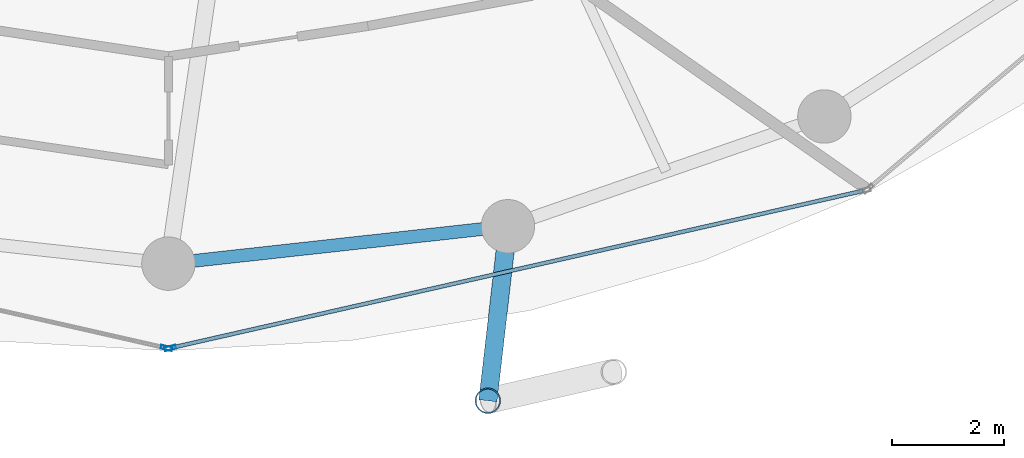
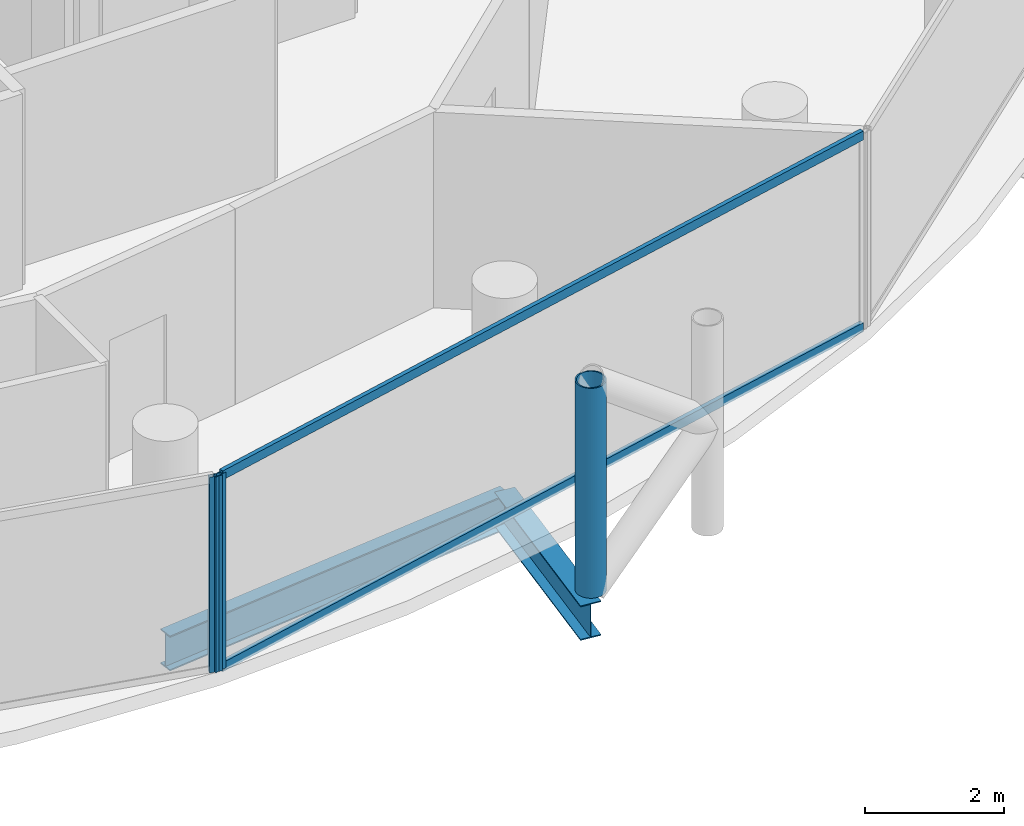
# One storey, part 4 of 26: 5 members, 2 beams, 2 elements without a shape of their own.
"""IFC4 building model written with IfcOpenShell, lengths in metres."""

from ifc_helpers import new_model, si_unit, direction, frame, origin, origin_2d, place, context, subcontext, project, spatial, hollow_rectangle, hollow_circle, i_section, extrude, material, layer, layer_set, material_profile, profile_set, type_object, element, aggregate, save


model = new_model("IFC4")

# Units and contexts
model_context = context("Model", 3, precision=1e-05, world=origin(), true_north=direction((0.0, 1.0)))
body_context = subcontext(model_context, "Body", "Model", "MODEL_VIEW")
ifc_project = project(units=[si_unit("LENGTHUNIT", "METRE"), si_unit("AREAUNIT", "SQUARE_METRE"), si_unit("VOLUMEUNIT", "CUBIC_METRE"), si_unit("PLANEANGLEUNIT", "RADIAN"), si_unit("MASSUNIT", "GRAM", prefix="KILO")], contexts=[model_context])

# Site, building, storey
site_placement = place(None, origin())
site = spatial("IfcSite", under=ifc_project, at=site_placement, CompositionType="ELEMENT")
building_placement = place(site_placement, origin())
building = spatial("IfcBuilding", under=site, at=building_placement, Name="Nuhasar Tower", CompositionType="ELEMENT")
storey_placement = place(building_placement, frame((0.0, 0.0, 155.25)))
storey = spatial("IfcBuildingStorey", under=building, at=storey_placement, Name="L37", CompositionType="ELEMENT", Elevation=155.25)

# Beams
ifc_material_1 = material(Name="Steel S355", Category="steel")
ifc_material_profile_1 = material_profile(ifc_material_1, i_section(OverallWidth=0.22998046875, OverallDepth=0.616943359375, WebThickness=0.01318359375, FlangeThickness=0.022216796875, at=origin_2d()), Name="W24X94")
ifc_profile_set_1 = profile_set([ifc_material_profile_1], Name="Steel S355")
beam_type_1 = type_object("IfcBeamType", Name="BM-RING-W24X94", PredefinedType="SPANDREL", material=ifc_profile_set_1)
beam_1_placement = place(storey_placement, frame((39.0, 7.25, -0.55908203125), z_axis=(0.993981289157, 0.109549974015, 0.0), x_axis=(-0.109549974015, 0.993981289157, 0.0)))
element("IfcBeam", 1, at=beam_1_placement, inside=storey, type_object=beam_type_1, Name="L37 Perimeter Ring Spandrel 19", PredefinedType="SPANDREL", context=body_context, shape_type="SweptSolid", body=[
    extrude(i_section(OverallWidth=0.22998046875, OverallDepth=0.616943359375, WebThickness=0.01318359375, FlangeThickness=0.022216796875, at=origin_2d()), origin(), (0.0, 0.0, 1.0), 6.07958984375),
])
ifc_material_profile_2 = material_profile(ifc_material_1, i_section(OverallWidth=0.323974609375, OverallDepth=0.611083984375, WebThickness=0.0126953125, FlangeThickness=0.01904296875, at=origin_2d()), Name="W24X104")
ifc_profile_set_2 = profile_set([ifc_material_profile_2], Name="Steel S355")
beam_type_2 = type_object("IfcBeamType", Name="BM-TIE-W24X104", PredefinedType="BEAM", material=ifc_profile_set_2)
beam_2_placement = place(storey_placement, frame((45.04296875, 7.916015625, -0.554931640625), z_axis=(-0.114167639647, -0.993461499031, 0.0), x_axis=(0.993461499031, -0.114167639647, 0.0)))
element("IfcBeam", 2, at=beam_2_placement, inside=storey, type_object=beam_type_2, Name="L37 Exoskeleton Node Tie Beam 10", PredefinedType="BEAM", context=body_context, shape_type="SweptSolid", body=[
    extrude(i_section(OverallWidth=0.323974609375, OverallDepth=0.611083984375, WebThickness=0.0126953125, FlangeThickness=0.01904296875, at=origin_2d()), origin(), (0.0, 0.0, 1.0), 3.12646484375),
])

# Curtain wall, member
ifc_material_2 = material(Name="Aluminium 6063-T6", Category="aluminium")
ifc_layer = layer(ifc_material_2, 0.199951171875)
ifc_layer_set = layer_set([ifc_layer], Name="Aluminium 6063-T6")
curtain_wall_type = type_object("IfcCurtainWallType", Name="CW-Z2-HTL", PredefinedType="NOTDEFINED", material=ifc_layer_set)
curtain_wall_1_placement = place(storey_placement, origin())
curtain_wall_1 = element("IfcCurtainWall", 3, at=curtain_wall_1_placement, inside=storey, type_object=curtain_wall_type, Name="L37 Unitised Curtain Wall 09", PredefinedType="NOTDEFINED")
ifc_material_profile_3 = material_profile(ifc_material_2, hollow_rectangle(XDim=0.070068359375, YDim=0.199951171875, WallThickness=0.0048828125, at=origin_2d()), Name="CWM-3")
ifc_profile_set_3 = profile_set([ifc_material_profile_3], Name="Aluminium 6063-T6")
member_type_1 = type_object("IfcMemberType", Name="CW-MUL-S3", PredefinedType="MULLION", material=ifc_profile_set_3)
member_1_placement = place(storey_placement, frame((38.9658203125, 5.747802734375, 0.0), z_axis=(0.0, 0.0, 1.0), x_axis=(0.22139729566, 0.975183694221, 0.0)))
member_1 = element("IfcMember", 4, at=member_1_placement, type_object=member_type_1, Name="CW-Z2 mullion 2", PredefinedType="MULLION", context=body_context, shape_type="SweptSolid", body=[
    extrude(hollow_rectangle(XDim=0.070068359375, YDim=0.199951171875, WallThickness=0.0048828125, at=origin_2d()), origin(), (0.0, 0.0, 1.0), 3.449951171875),
])
aggregate(curtain_wall_1, [member_1])

# Curtain wall, members
curtain_wall_2_placement = place(storey_placement, origin())
curtain_wall_2 = element("IfcCurtainWall", 5, at=curtain_wall_2_placement, inside=storey, type_object=curtain_wall_type, Name="L37 Unitised Curtain Wall 10", PredefinedType="NOTDEFINED")
member_2_placement = place(storey_placement, frame((39.0341796875, 5.747802734375, 0.0), z_axis=(0.0, 0.0, 1.0), x_axis=(-0.22139729566, 0.975183694221, 0.0)))
member_2 = element("IfcMember", 6, at=member_2_placement, type_object=member_type_1, Name="CW-Z2 mullion 1", PredefinedType="MULLION", context=body_context, shape_type="SweptSolid", body=[
    extrude(hollow_rectangle(XDim=0.070068359375, YDim=0.199951171875, WallThickness=0.0048828125, at=origin_2d()), origin(), (0.0, 0.0, 1.0), 3.449951171875),
])
ifc_material_profile_4 = material_profile(ifc_material_2, hollow_rectangle(XDim=0.070068359375, YDim=0.159912109375, WallThickness=0.00439453125, at=origin_2d()), Name="CWT-3")
ifc_profile_set_4 = profile_set([ifc_material_profile_4], Name="Aluminium 6063-T6")
member_type_2 = type_object("IfcMemberType", Name="CW-TRN-S3", PredefinedType="USERDEFINED", material=ifc_profile_set_4)
member_3_placement = place(storey_placement, frame((39.068359375, 5.755615234375, 0.034912109375), z_axis=(0.975187615691, 0.221380022142, 0.0), x_axis=(-0.221380022142, 0.975187615691, 0.0)))
member_3 = element("IfcMember", 7, at=member_3_placement, type_object=member_type_2, Name="CW-Z2 transom 1.1", ObjectType="TRANSOM", PredefinedType="USERDEFINED", context=body_context, shape_type="SweptSolid", body=[
    extrude(hollow_rectangle(XDim=0.070068359375, YDim=0.159912109375, WallThickness=0.00439453125, at=origin_2d()), origin(), (0.0, 0.0, 1.0), 12.606201171875),
])
member_4_placement = place(storey_placement, frame((39.068359375, 5.755615234375, 3.4150390625), z_axis=(0.975187615691, 0.221380022142, 0.0), x_axis=(-0.221380022142, 0.975187615691, 0.0)))
member_4 = element("IfcMember", 8, at=member_4_placement, type_object=member_type_2, Name="CW-Z2 transom 1.2", ObjectType="TRANSOM", PredefinedType="USERDEFINED", context=body_context, shape_type="SweptSolid", body=[
    extrude(hollow_rectangle(XDim=0.070068359375, YDim=0.159912109375, WallThickness=0.00439453125, at=origin_2d()), origin(), (0.0, 0.0, 1.0), 12.606201171875),
])
aggregate(curtain_wall_2, [member_2, member_3, member_4])

# Member
ifc_material_3 = material(Name="Steel S460", Category="steel")
ifc_material_profile_5 = material_profile(ifc_material_3, hollow_circle(Radius=0.228515625, WallThickness=0.022216796875, at=origin_2d()), Name="HSS457X22.2")
ifc_profile_set_5 = profile_set([ifc_material_profile_5], Name="Steel S460")
member_type_3 = type_object("IfcMemberType", Name="EXO-BRONZE-457", PredefinedType="BRACE", material=ifc_profile_set_5)
member_5_placement = place(storey_placement, frame((44.68603515625, 4.81005859375, 0.0), z_axis=(0.0, 0.0, 1.0), x_axis=(1.0, 0.0, 0.0)))
element("IfcMember", 9, at=member_5_placement, inside=storey, type_object=member_type_3, Name="L37 Exoskeleton Chord Column EC-10A", PredefinedType="BRACE", context=body_context, shape_type="SweptSolid", body=[
    extrude(hollow_circle(Radius=0.228515625, WallThickness=0.022216796875, at=origin_2d()), origin(), (0.0, 0.0, 1.0), 3.699951171875),
])

save(model, "model.ifc")
